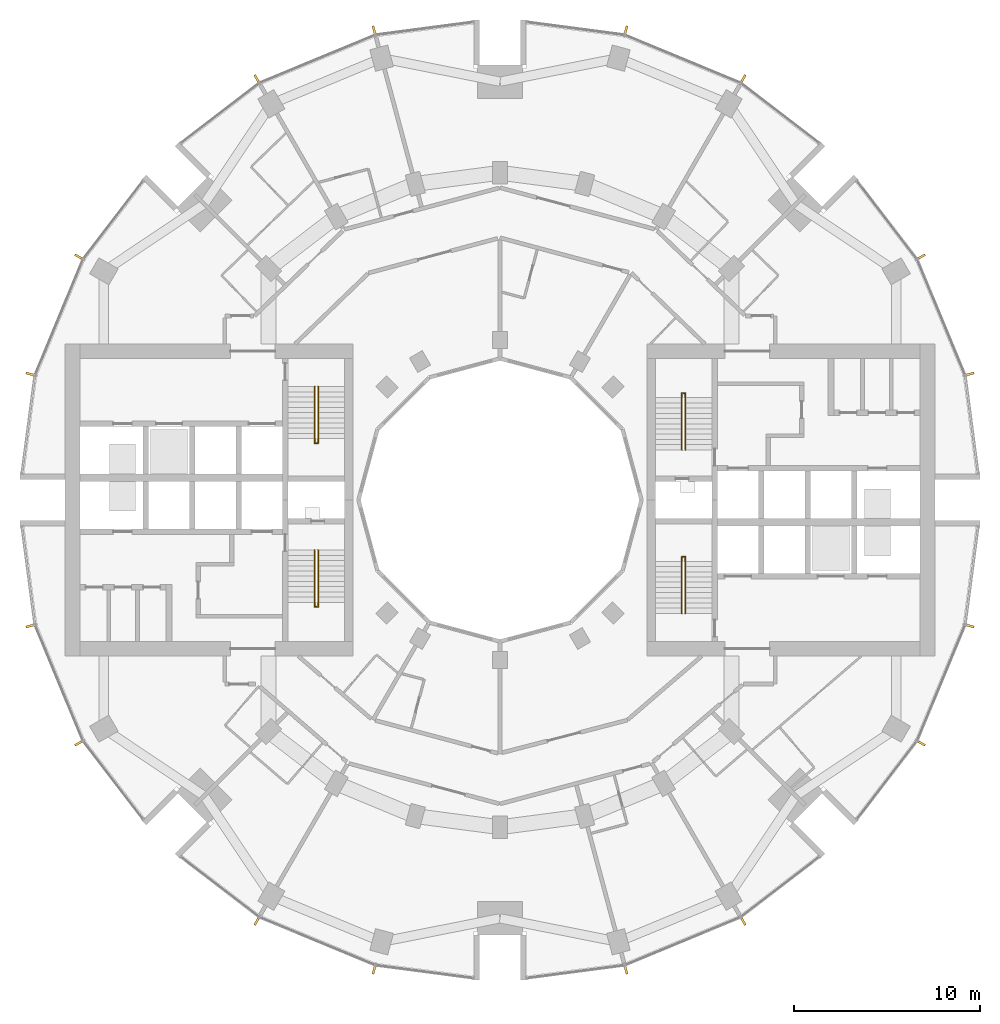
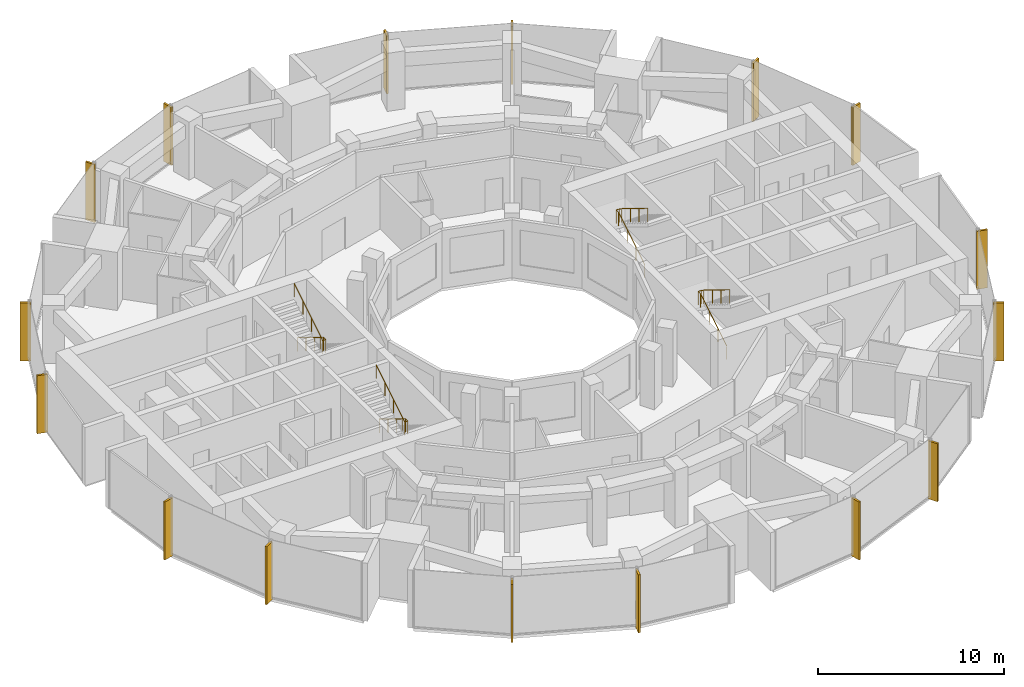
# One storey, part 14 of 15: 16 shading devices, 4 railings.
"""IFC4 building model written with IfcOpenShell, lengths in metres."""

from ifc_helpers import new_model, si_unit, direction, frame, origin, origin_2d, place, context, subcontext, project, spatial, rectangle, circle, extrude, material, material_profile, profile_set, type_object, element, save


model = new_model("IFC4")

# Units and contexts
model_context = context("Model", 3, precision=1e-05, world=origin(), true_north=direction((0.0, 1.0)))
body_context = subcontext(model_context, "Body", "Model", "MODEL_VIEW")
ifc_project = project(units=[si_unit("LENGTHUNIT", "METRE"), si_unit("AREAUNIT", "SQUARE_METRE"), si_unit("VOLUMEUNIT", "CUBIC_METRE"), si_unit("PLANEANGLEUNIT", "RADIAN"), si_unit("MASSUNIT", "GRAM", prefix="KILO")], contexts=[model_context])

# Site, building, storey
site_placement = place(None, origin())
site = spatial("IfcSite", under=ifc_project, at=site_placement, CompositionType="ELEMENT")
building_placement = place(site_placement, origin())
building = spatial("IfcBuilding", under=site, at=building_placement, Name="Torre Brocal", CompositionType="ELEMENT")
storey_placement = place(building_placement, frame((0.0, 0.0, 101.39990234375)))
storey = spatial("IfcBuildingStorey", under=building, at=storey_placement, Name="L23", CompositionType="ELEMENT", Elevation=101.39990234375)

# Shading devices
ifc_material_1 = material(Name="Aluminium, black anodised", Category="aluminium")
ifc_material_profile = material_profile(ifc_material_1, rectangle(XDim=0.1201171875, YDim=0.60009765625, at=origin_2d()), Name="FIN 120X600 3800 HIGH")
ifc_profile_set = profile_set([ifc_material_profile], Name="Aluminium, black anodised")
shading_device_type = type_object("IfcShadingDeviceType", Name="FIN 120X600 3800 HIGH", PredefinedType="USERDEFINED", material=ifc_profile_set)
for number, where, z_axis, x_axis, name in (
    (1, (105.208984375, 81.754638671875, -0.14990234375), (0.0, 0.0, 1.0), (-0.258819045103, 0.965925826289, 0.0), "FIN"),
    (2, (102.601806640625, 88.049072265625, -0.14990234375), (0.0, 0.0, 1.0), (-0.5, 0.866025403784, 0.0), "FIN"),
    (3, (93.049072265625, 97.601806640625, -0.14990234375), (0.0, 0.0, 1.0), (-0.866025403784, 0.5, 0.0), "FIN"),
    (4, (86.754638671875, 100.208984375, -0.14990234375), (0.0, 0.0, 1.0), (-0.965925826289, 0.258819045103, 0.0), "FIN"),
    (5, (73.245361328125, 100.208984375, -0.14990234375), (0.0, 0.0, 1.0), (-0.965925826289, -0.258819045103, 0.0), "FIN"),
    (6, (66.950927734375, 97.601806640625, -0.14990234375), (0.0, 0.0, 1.0), (-0.866025403784, -0.5, 0.0), "FIN"),
    (7, (57.398193359375, 88.049072265625, -0.14990234375), (0.0, 0.0, 1.0), (-0.5, -0.866025403784, 0.0), "FIN"),
    (8, (54.791015625, 81.754638671875, -0.14990234375), (0.0, 0.0, 1.0), (-0.258819045103, -0.965925826289, 0.0), "FIN"),
    (9, (54.791015625, 68.245361328125, -0.14990234375), (0.0, 0.0, 1.0), (0.258819045103, -0.965925826289, 0.0), "FIN"),
    (10, (57.398193359375, 61.950927734375, -0.14990234375), (0.0, 0.0, 1.0), (0.5, -0.866025403784, 0.0), "FIN"),
    (11, (66.950927734375, 52.398193359375, -0.14990234375), (0.0, 0.0, 1.0), (0.866025403784, -0.5, 0.0), "FIN"),
    (12, (73.245361328125, 49.791015625, -0.14990234375), (0.0, 0.0, 1.0), (0.965925826289, -0.258819045103, 0.0), "FIN"),
    (13, (86.754638671875, 49.791015625, -0.14990234375), (0.0, 0.0, 1.0), (0.965925826289, 0.258819045103, 0.0), "FIN"),
    (14, (93.049072265625, 52.398193359375, -0.14990234375), (0.0, 0.0, 1.0), (0.866025403784, 0.5, 0.0), "FIN"),
    (15, (102.601806640625, 61.950927734375, -0.14990234375), (0.0, 0.0, 1.0), (0.5, 0.866025403784, 0.0), "FIN"),
    (16, (105.208984375, 68.245361328125, -0.14990234375), (0.0, 0.0, 1.0), (0.258819045103, 0.965925826289, 0.0), "FIN"),
):
    element("IfcShadingDevice", number, at=place(storey_placement, frame(where, z_axis=z_axis, x_axis=x_axis)), inside=storey, type_object=shading_device_type, Name=name, ObjectType="FIN", PredefinedType="USERDEFINED", context=body_context, shape_type="SweptSolid", body=[
        extrude(rectangle(XDim=0.1201171875, YDim=0.60009765625, at=origin_2d()), origin(), (0.0, 0.0, 1.0), 3.800048828125),
    ])

# Railings
ifc_material_2 = material(Name="Stainless steel AISI 316", Category="steel")
railing_type = type_object("IfcRailingType", Name="STAIR HANDRAIL", PredefinedType="HANDRAIL", material=ifc_material_2)
railing_1_placement = place(storey_placement, frame((89.780029296875, 77.699951171875, 0.1728515625)))
element("IfcRailing", 17, at=railing_1_placement, inside=storey, type_object=railing_type, Name="HANDRAIL ST1", PredefinedType="HANDRAIL", context=body_context, shape_type="SweptSolid", body=[
    extrude(circle(Radius=0.02392578125, at=origin_2d()), frame((0.0, 0.0, 0.8759765625), z_axis=(0.0, 0.851089632645, 0.525020415988), x_axis=(-1.0, 0.0, 0.0)), (0.0, 0.0, 1.0), 3.2900390625),
    extrude(circle(Radius=0.02392578125, at=origin_2d()), frame((0.0, 2.800048828125, 2.60302734375), z_axis=(0.0, 1.0, 0.0), x_axis=(-1.0, 0.0, 0.0)), (0.0, 0.0, 1.0), 0.25),
    extrude(circle(Radius=0.02392578125, at=origin_2d()), frame((0.0, 3.050048828125, 2.60302734375), z_axis=(1.0, 0.0, 0.0), x_axis=(0.0, 1.0, 0.0)), (0.0, 0.0, 1.0), 0.18994140625),
    extrude(circle(Radius=0.02392578125, at=origin_2d()), frame((0.18994140625, 3.050048828125, 2.60302734375), z_axis=(0.0, -0.822914792866, 0.568164803277), x_axis=(1.0, 0.0, 0.0)), (0.0, 0.0, 1.0), 0.3037109375),
    extrude(circle(Radius=0.02392578125, at=origin_2d()), frame((0.18994140625, 2.800048828125, 2.77587890625), z_axis=(0.0, -0.851089632645, 0.525020415988), x_axis=(1.0, 0.0, 0.0)), (0.0, 0.0, 1.0), 3.2900390625),
    extrude(circle(Radius=0.02099609375, at=origin_2d()), origin(), (0.0, 0.0, 1.0), 0.851806640625),
    extrude(circle(Radius=0.02099609375, at=origin_2d()), frame((0.0, 0.933349609375, 0.57568359375)), (0.0, 0.0, 1.0), 0.851806640625),
    extrude(circle(Radius=0.02099609375, at=origin_2d()), frame((0.0, 1.86669921875, 1.151611328125)), (0.0, 0.0, 1.0), 0.851806640625),
    extrude(circle(Radius=0.02099609375, at=origin_2d()), frame((0.0, 2.800048828125, 1.727294921875)), (0.0, 0.0, 1.0), 0.851806640625),
    extrude(circle(Radius=0.02099609375, at=origin_2d()), frame((0.0, 3.050048828125, 1.727294921875)), (0.0, 0.0, 1.0), 0.851806640625),
    extrude(circle(Radius=0.02099609375, at=origin_2d()), frame((0.18994140625, 3.050048828125, 1.727294921875)), (0.0, 0.0, 1.0), 0.851806640625),
    extrude(circle(Radius=0.02099609375, at=origin_2d()), frame((0.18994140625, 2.800048828125, 1.89990234375)), (0.0, 0.0, 1.0), 0.851806640625),
    extrude(circle(Radius=0.02099609375, at=origin_2d()), frame((0.18994140625, 1.86669921875, 2.4755859375)), (0.0, 0.0, 1.0), 0.851806640625),
    extrude(circle(Radius=0.02099609375, at=origin_2d()), frame((0.18994140625, 0.933349609375, 3.051513671875)), (0.0, 0.0, 1.0), 0.851806640625),
    extrude(circle(Radius=0.02099609375, at=origin_2d()), frame((0.18994140625, 0.0, 3.627197265625)), (0.0, 0.0, 1.0), 0.851806640625),
])
railing_2_placement = place(storey_placement, frame((89.780029296875, 68.89990234375, 0.1728515625)))
element("IfcRailing", 18, at=railing_2_placement, inside=storey, type_object=railing_type, Name="HANDRAIL ST2", PredefinedType="HANDRAIL", context=body_context, shape_type="SweptSolid", body=[
    extrude(circle(Radius=0.02392578125, at=origin_2d()), frame((0.0, 0.0, 0.8759765625), z_axis=(0.0, 0.851089632645, 0.525020415988), x_axis=(-1.0, 0.0, 0.0)), (0.0, 0.0, 1.0), 3.2900390625),
    extrude(circle(Radius=0.02392578125, at=origin_2d()), frame((0.0, 2.800048828125, 2.60302734375), z_axis=(0.0, 1.0, 0.0), x_axis=(-1.0, 0.0, 0.0)), (0.0, 0.0, 1.0), 0.25),
    extrude(circle(Radius=0.02392578125, at=origin_2d()), frame((0.0, 3.050048828125, 2.60302734375), z_axis=(1.0, 0.0, 0.0), x_axis=(0.0, 1.0, 0.0)), (0.0, 0.0, 1.0), 0.18994140625),
    extrude(circle(Radius=0.02392578125, at=origin_2d()), frame((0.18994140625, 3.050048828125, 2.60302734375), z_axis=(0.0, -0.822914792866, 0.568164803277), x_axis=(1.0, 0.0, 0.0)), (0.0, 0.0, 1.0), 0.3037109375),
    extrude(circle(Radius=0.02392578125, at=origin_2d()), frame((0.18994140625, 2.800048828125, 2.77587890625), z_axis=(0.0, -0.851089632645, 0.525020415988), x_axis=(1.0, 0.0, 0.0)), (0.0, 0.0, 1.0), 3.2900390625),
    extrude(circle(Radius=0.02099609375, at=origin_2d()), origin(), (0.0, 0.0, 1.0), 0.851806640625),
    extrude(circle(Radius=0.02099609375, at=origin_2d()), frame((0.0, 0.933349609375, 0.57568359375)), (0.0, 0.0, 1.0), 0.851806640625),
    extrude(circle(Radius=0.02099609375, at=origin_2d()), frame((0.0, 1.86669921875, 1.151611328125)), (0.0, 0.0, 1.0), 0.851806640625),
    extrude(circle(Radius=0.02099609375, at=origin_2d()), frame((0.0, 2.800048828125, 1.727294921875)), (0.0, 0.0, 1.0), 0.851806640625),
    extrude(circle(Radius=0.02099609375, at=origin_2d()), frame((0.0, 3.050048828125, 1.727294921875)), (0.0, 0.0, 1.0), 0.851806640625),
    extrude(circle(Radius=0.02099609375, at=origin_2d()), frame((0.18994140625, 3.050048828125, 1.727294921875)), (0.0, 0.0, 1.0), 0.851806640625),
    extrude(circle(Radius=0.02099609375, at=origin_2d()), frame((0.18994140625, 2.800048828125, 1.89990234375)), (0.0, 0.0, 1.0), 0.851806640625),
    extrude(circle(Radius=0.02099609375, at=origin_2d()), frame((0.18994140625, 1.86669921875, 2.4755859375)), (0.0, 0.0, 1.0), 0.851806640625),
    extrude(circle(Radius=0.02099609375, at=origin_2d()), frame((0.18994140625, 0.933349609375, 3.051513671875)), (0.0, 0.0, 1.0), 0.851806640625),
    extrude(circle(Radius=0.02099609375, at=origin_2d()), frame((0.18994140625, 0.0, 3.627197265625)), (0.0, 0.0, 1.0), 0.851806640625),
])
railing_3_placement = place(storey_placement, frame((70.219970703125, 72.300048828125, 0.1728515625)))
element("IfcRailing", 19, at=railing_3_placement, inside=storey, type_object=railing_type, Name="HANDRAIL ST3", PredefinedType="HANDRAIL", context=body_context, shape_type="SweptSolid", body=[
    extrude(circle(Radius=0.02392578125, at=origin_2d()), frame((0.0, 0.0, 0.8759765625), z_axis=(0.0, -0.851089632645, 0.525020415988), x_axis=(1.0, 0.0, 0.0)), (0.0, 0.0, 1.0), 3.2900390625),
    extrude(circle(Radius=0.02392578125, at=origin_2d()), frame((0.0, -2.800048828125, 2.60302734375), z_axis=(0.0, -1.0, 0.0), x_axis=(1.0, 0.0, 0.0)), (0.0, 0.0, 1.0), 0.25),
    extrude(circle(Radius=0.02392578125, at=origin_2d()), frame((0.0, -3.050048828125, 2.60302734375), z_axis=(-1.0, 0.0, 0.0), x_axis=(0.0, -1.0, 0.0)), (0.0, 0.0, 1.0), 0.18994140625),
    extrude(circle(Radius=0.02392578125, at=origin_2d()), frame((-0.18994140625, -3.050048828125, 2.60302734375), z_axis=(0.0, 0.822914792866, 0.568164803277), x_axis=(-1.0, 0.0, 0.0)), (0.0, 0.0, 1.0), 0.3037109375),
    extrude(circle(Radius=0.02392578125, at=origin_2d()), frame((-0.18994140625, -2.800048828125, 2.77587890625), z_axis=(0.0, 0.851089632645, 0.525020415988), x_axis=(-1.0, 0.0, 0.0)), (0.0, 0.0, 1.0), 3.2900390625),
    extrude(circle(Radius=0.02099609375, at=origin_2d()), origin(), (0.0, 0.0, 1.0), 0.851806640625),
    extrude(circle(Radius=0.02099609375, at=origin_2d()), frame((0.0, -0.933349609375, 0.57568359375)), (0.0, 0.0, 1.0), 0.851806640625),
    extrude(circle(Radius=0.02099609375, at=origin_2d()), frame((0.0, -1.86669921875, 1.151611328125)), (0.0, 0.0, 1.0), 0.851806640625),
    extrude(circle(Radius=0.02099609375, at=origin_2d()), frame((0.0, -2.800048828125, 1.727294921875)), (0.0, 0.0, 1.0), 0.851806640625),
    extrude(circle(Radius=0.02099609375, at=origin_2d()), frame((0.0, -3.050048828125, 1.727294921875)), (0.0, 0.0, 1.0), 0.851806640625),
    extrude(circle(Radius=0.02099609375, at=origin_2d()), frame((-0.18994140625, -3.050048828125, 1.727294921875)), (0.0, 0.0, 1.0), 0.851806640625),
    extrude(circle(Radius=0.02099609375, at=origin_2d()), frame((-0.18994140625, -2.800048828125, 1.89990234375)), (0.0, 0.0, 1.0), 0.851806640625),
    extrude(circle(Radius=0.02099609375, at=origin_2d()), frame((-0.18994140625, -1.86669921875, 2.4755859375)), (0.0, 0.0, 1.0), 0.851806640625),
    extrude(circle(Radius=0.02099609375, at=origin_2d()), frame((-0.18994140625, -0.933349609375, 3.051513671875)), (0.0, 0.0, 1.0), 0.851806640625),
    extrude(circle(Radius=0.02099609375, at=origin_2d()), frame((-0.18994140625, 0.0, 3.627197265625)), (0.0, 0.0, 1.0), 0.851806640625),
])
railing_4_placement = place(storey_placement, frame((70.219970703125, 81.10009765625, 0.1728515625)))
element("IfcRailing", 20, at=railing_4_placement, inside=storey, type_object=railing_type, Name="HANDRAIL ST4", PredefinedType="HANDRAIL", context=body_context, shape_type="SweptSolid", body=[
    extrude(circle(Radius=0.02392578125, at=origin_2d()), frame((0.0, 0.0, 0.8759765625), z_axis=(0.0, -0.851089632645, 0.525020415988), x_axis=(1.0, 0.0, 0.0)), (0.0, 0.0, 1.0), 3.2900390625),
    extrude(circle(Radius=0.02392578125, at=origin_2d()), frame((0.0, -2.800048828125, 2.60302734375), z_axis=(0.0, -1.0, 0.0), x_axis=(1.0, 0.0, 0.0)), (0.0, 0.0, 1.0), 0.25),
    extrude(circle(Radius=0.02392578125, at=origin_2d()), frame((0.0, -3.050048828125, 2.60302734375), z_axis=(-1.0, 0.0, 0.0), x_axis=(0.0, -1.0, 0.0)), (0.0, 0.0, 1.0), 0.18994140625),
    extrude(circle(Radius=0.02392578125, at=origin_2d()), frame((-0.18994140625, -3.050048828125, 2.60302734375), z_axis=(0.0, 0.822914792866, 0.568164803277), x_axis=(-1.0, 0.0, 0.0)), (0.0, 0.0, 1.0), 0.3037109375),
    extrude(circle(Radius=0.02392578125, at=origin_2d()), frame((-0.18994140625, -2.800048828125, 2.77587890625), z_axis=(0.0, 0.851089632645, 0.525020415988), x_axis=(-1.0, 0.0, 0.0)), (0.0, 0.0, 1.0), 3.2900390625),
    extrude(circle(Radius=0.02099609375, at=origin_2d()), origin(), (0.0, 0.0, 1.0), 0.851806640625),
    extrude(circle(Radius=0.02099609375, at=origin_2d()), frame((0.0, -0.933349609375, 0.57568359375)), (0.0, 0.0, 1.0), 0.851806640625),
    extrude(circle(Radius=0.02099609375, at=origin_2d()), frame((0.0, -1.86669921875, 1.151611328125)), (0.0, 0.0, 1.0), 0.851806640625),
    extrude(circle(Radius=0.02099609375, at=origin_2d()), frame((0.0, -2.800048828125, 1.727294921875)), (0.0, 0.0, 1.0), 0.851806640625),
    extrude(circle(Radius=0.02099609375, at=origin_2d()), frame((0.0, -3.050048828125, 1.727294921875)), (0.0, 0.0, 1.0), 0.851806640625),
    extrude(circle(Radius=0.02099609375, at=origin_2d()), frame((-0.18994140625, -3.050048828125, 1.727294921875)), (0.0, 0.0, 1.0), 0.851806640625),
    extrude(circle(Radius=0.02099609375, at=origin_2d()), frame((-0.18994140625, -2.800048828125, 1.89990234375)), (0.0, 0.0, 1.0), 0.851806640625),
    extrude(circle(Radius=0.02099609375, at=origin_2d()), frame((-0.18994140625, -1.86669921875, 2.4755859375)), (0.0, 0.0, 1.0), 0.851806640625),
    extrude(circle(Radius=0.02099609375, at=origin_2d()), frame((-0.18994140625, -0.933349609375, 3.051513671875)), (0.0, 0.0, 1.0), 0.851806640625),
    extrude(circle(Radius=0.02099609375, at=origin_2d()), frame((-0.18994140625, 0.0, 3.627197265625)), (0.0, 0.0, 1.0), 0.851806640625),
])

save(model, "model.ifc")
